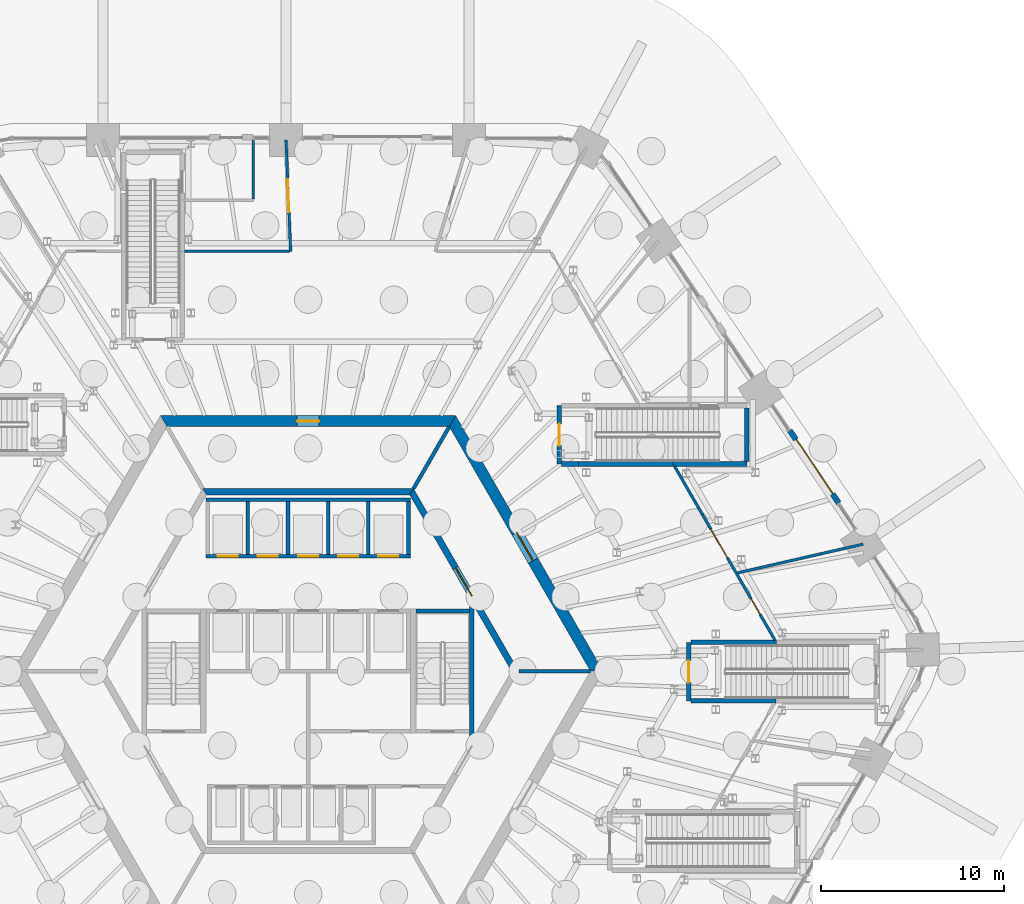
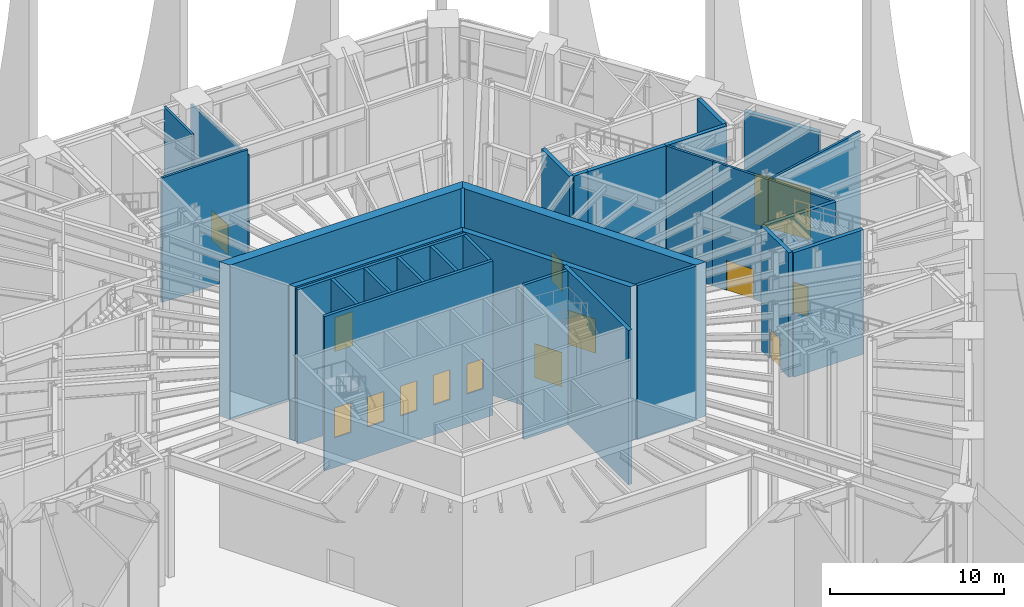
# One storey, part 29 of 43: 31 walls, 14 doors, 14 openings.
"""IFC4 building model written with IfcOpenShell, lengths in metres."""

from ifc_helpers import new_model, si_unit, direction, frame, frame_2d, origin, place, context, subcontext, project, spatial, polyline, rectangle, outline, extrude, material, layer, layer_set, type_object, element, fill, save


model = new_model("IFC4")

# Units and contexts
model_context = context("Model", 3, precision=1e-05, world=origin(), true_north=direction((0.0, 1.0)))
body_context = subcontext(model_context, "Body", "Model", "MODEL_VIEW")
ifc_project = project(units=[si_unit("LENGTHUNIT", "METRE"), si_unit("AREAUNIT", "SQUARE_METRE"), si_unit("VOLUMEUNIT", "CUBIC_METRE"), si_unit("PLANEANGLEUNIT", "RADIAN"), si_unit("MASSUNIT", "GRAM", prefix="KILO")], contexts=[model_context])

# Site, building, storey
site_placement = place(None, origin())
site = spatial("IfcSite", under=ifc_project, at=site_placement, CompositionType="ELEMENT")
building_placement = place(site_placement, origin())
building = spatial("IfcBuilding", under=site, at=building_placement, Name="Tarnside Tower", CompositionType="ELEMENT")
storey_placement = place(building_placement, origin())
storey = spatial("IfcBuildingStorey", under=building, at=storey_placement, Name="L00", CompositionType="ELEMENT", Elevation=0.0)

# Wall, opening, door
ifc_material_1 = material(Name="Concrete C50/60", Category="concrete")
ifc_layer_1 = layer(ifc_material_1, 0.35009765625)
ifc_layer_set_1 = layer_set([ifc_layer_1], Name="Core block wall 350 C50/60")
wall_type_1 = type_object("IfcWallType", Name="Core block wall 350 C50/60", PredefinedType="SHEAR", material=ifc_layer_set_1)
wall_1_placement = place(storey_placement, frame((11.344970703125, 0.0, -2.10009765625), z_axis=(0.0, 0.0, 1.0), x_axis=(-0.499995046907, 0.866028263435, 0.0)))
wall_1 = element("IfcWall", 1, at=wall_1_placement, inside=storey, type_object=wall_type_1, Name="L00 core block wall face 6", PredefinedType="SHEAR", context=body_context, shape_type="SweptSolid", body=[
    extrude(outline(polyline([(-0.10107421875, -0.175048828125), (11.44580078125, -0.175048828125), (11.24365234375, 0.175048828125), (0.10107421875, 0.175048828125), (-0.10107421875, -0.175048828125)])), origin(), (0.0, 0.0, 1.0), 10.85009765625),
])
opening_1_placement = place(wall_1_placement, frame((4.74365234375, 0.0, 2.10009765625)))
opening_1 = element("IfcOpeningElement", 2, at=opening_1_placement, cuts=wall_1, Name="Opening CD-LOB", PredefinedType="OPENING", context=body_context, shape_type="SweptSolid", body=[
    extrude(rectangle(XDim=1.800048828125, YDim=2.39990234375, at=frame_2d((0.89990234375, 1.199951171875))), frame((0.0, 0.18505859375, 0.0), z_axis=(0.0, -1.0, 0.0), x_axis=(1.0, 0.0, 0.0)), (0.0, 0.0, 1.0), 0.3701171875),
])
ifc_material_2 = material(Name="Steel fire door", Category="steel")
door_type_1 = type_object("IfcDoorType", Name="Lobby double door FD30S 1800x2400", OperationType="NOTDEFINED", PredefinedType="DOOR", material=ifc_material_2)
door_1_placement = place(opening_1_placement, origin())
door_1 = element("IfcDoor", 3, at=door_1_placement, inside=storey, type_object=door_type_1, Name="L00 lobby block door P2", OperationType="DOUBLE_DOOR_SINGLE_SWING", OverallHeight=2.39990234375, OverallWidth=1.800048828125, PredefinedType="DOOR", context=body_context, shape_type="SweptSolid", body=[
    extrude(rectangle(XDim=1.800048828125, YDim=2.39990234375, at=frame_2d((0.89990234375, 1.199951171875))), frame((0.0, 0.02490234375, 0.0), z_axis=(0.0, -1.0, 0.0), x_axis=(1.0, 0.0, 0.0)), (0.0, 0.0, 1.0), 0.050048828125),
])
fill(opening_1, door_1)

# Wall
wall_2_placement = place(storey_placement, frame((5.672607421875, 9.824951171875, -2.10009765625), z_axis=(0.0, 0.0, 1.0), x_axis=(-1.0, 0.0, 0.0)))
element("IfcWall", 4, at=wall_2_placement, inside=storey, type_object=wall_type_1, Name="L00 core block wall face 1", PredefinedType="SHEAR", context=body_context, shape_type="SweptSolid", body=[
    extrude(outline(polyline([(-0.10107421875, -0.175048828125), (11.4462890625, -0.175048828125), (11.244140625, 0.175048828125), (0.10107421875, 0.175048828125), (-0.10107421875, -0.175048828125)])), origin(), (0.0, 0.0, 1.0), 10.85009765625),
])

# Wall, opening, door
ifc_material_3 = material(Name="Concrete C80/95", Category="concrete")
ifc_layer_2 = layer(ifc_material_3, 0.60009765625)
ifc_layer_set_2 = layer_set([ifc_layer_2], Name="Core wall Z1 600 C80/95")
wall_type_2 = type_object("IfcWallType", Name="Core wall Z1 600 C80/95", PredefinedType="SHEAR", material=ifc_layer_set_2)
wall_3_placement = place(storey_placement, frame((15.8193359375, 0.0, -2.10009765625), z_axis=(0.0, 0.0, 1.0), x_axis=(-0.499999880136, 0.866025472988, 0.0)))
wall_3 = element("IfcWall", 5, at=wall_3_placement, inside=storey, type_object=wall_type_2, Name="L00 core wall face 6", PredefinedType="SHEAR", context=body_context, shape_type="SweptSolid", body=[
    extrude(outline(polyline([(-0.17333984375, -0.300048828125), (15.99267578125, -0.300048828125), (15.64599609375, 0.300048828125), (0.17333984375, 0.300048828125), (-0.17333984375, -0.300048828125)])), origin(), (0.0, 0.0, 1.0), 10.85009765625),
])
opening_2_placement = place(wall_3_placement, frame((6.980712890625, 0.0, 2.10009765625)))
opening_2 = element("IfcOpeningElement", 6, at=opening_2_placement, cuts=wall_3, Name="Opening CD-LOB", PredefinedType="OPENING", context=body_context, shape_type="SweptSolid", body=[
    extrude(rectangle(XDim=1.800048828125, YDim=2.39990234375, at=frame_2d((0.89990234375, 1.199951171875))), frame((0.0, 0.31005859375, 0.0), z_axis=(0.0, -1.0, 0.0), x_axis=(1.0, 0.0, 0.0)), (0.0, 0.0, 1.0), 0.6201171875),
])
door_2_placement = place(opening_2_placement, origin())
door_2 = element("IfcDoor", 7, at=door_2_placement, inside=storey, type_object=door_type_1, Name="L00 core door P2", OperationType="DOUBLE_DOOR_SINGLE_SWING", OverallHeight=2.39990234375, OverallWidth=1.800048828125, PredefinedType="DOOR", context=body_context, shape_type="SweptSolid", body=[
    extrude(rectangle(XDim=1.800048828125, YDim=2.39990234375, at=frame_2d((0.89990234375, 1.199951171875))), frame((0.0, 0.02490234375, 0.0), z_axis=(0.0, -1.0, 0.0), x_axis=(1.0, 0.0, 0.0)), (0.0, 0.0, 1.0), 0.050048828125),
])
fill(opening_2, door_2)

wall_4_placement = place(storey_placement, frame((7.90966796875, 13.699951171875, -2.10009765625), z_axis=(0.0, 0.0, 1.0), x_axis=(-1.0, 0.0, 0.0)))
wall_4 = element("IfcWall", 8, at=wall_4_placement, inside=storey, type_object=wall_type_2, Name="L00 core wall face 1", PredefinedType="SHEAR", context=body_context, shape_type="SweptSolid", body=[
    extrude(outline(polyline([(-0.17333984375, -0.300048828125), (15.99267578125, -0.300048828125), (15.64599609375, 0.300048828125), (0.17333984375, 0.300048828125), (-0.17333984375, -0.300048828125)])), origin(), (0.0, 0.0, 1.0), 10.85009765625),
])
opening_3_placement = place(wall_4_placement, frame((7.309814453125, 0.0, 2.10009765625)))
opening_3 = element("IfcOpeningElement", 9, at=opening_3_placement, cuts=wall_4, Name="Opening CD-RSR", PredefinedType="OPENING", context=body_context, shape_type="SweptSolid", body=[
    extrude(rectangle(XDim=1.199951171875, YDim=2.39990234375, at=frame_2d((0.60009765625, 1.199951171875))), frame((0.0, 0.31005859375, 0.0), z_axis=(0.0, -1.0, 0.0), x_axis=(1.0, 0.0, 0.0)), (0.0, 0.0, 1.0), 0.6201171875),
])
door_type_2 = type_object("IfcDoorType", Name="Riser door FD60 1200x2400", OperationType="NOTDEFINED", PredefinedType="DOOR", material=ifc_material_2)
door_3_placement = place(opening_3_placement, origin())
door_3 = element("IfcDoor", 10, at=door_3_placement, inside=storey, type_object=door_type_2, Name="L00 core door S5", OperationType="SINGLE_SWING_LEFT", OverallHeight=2.39990234375, OverallWidth=1.199951171875, PredefinedType="DOOR", context=body_context, shape_type="SweptSolid", body=[
    extrude(rectangle(XDim=1.199951171875, YDim=2.39990234375, at=frame_2d((0.60009765625, 1.199951171875))), frame((0.0, 0.02490234375, 0.0), z_axis=(0.0, -1.0, 0.0), x_axis=(1.0, 0.0, 0.0)), (0.0, 0.0, 1.0), 0.050048828125),
])
fill(opening_3, door_3)

ifc_material_4 = material(Name="Concrete C50/60 white precast", Category="concrete")
ifc_layer_3 = layer(ifc_material_4, 0.300048828125)
ifc_layer_set_3 = layer_set([ifc_layer_3], Name="Entrance portal wall 300")
wall_type_3 = type_object("IfcWallType", Name="Entrance portal wall 300", PredefinedType="SOLIDWALL", material=ifc_layer_set_3)
wall_5_placement = place(storey_placement, frame((29.0712890625, 9.207763671875, 0.0), z_axis=(0.0, 0.0, 1.0), x_axis=(-0.559199394786, 0.829033194071, 0.0)))
wall_5 = element("IfcWall", 11, at=wall_5_placement, inside=storey, type_object=wall_type_3, Name="Entrance portal wall residences 20", PredefinedType="SOLIDWALL", context=body_context, shape_type="SweptSolid", body=[
    extrude(rectangle(XDim=4.7998046875, YDim=0.300048828125, at=frame_2d((2.39990234375, 0.0))), origin(), (0.0, 0.0, 1.0), 7.823486328125),
])
opening_4_placement = place(wall_5_placement, frame((0.60009765625, 0.0, 0.0)))
opening_4 = element("IfcOpeningElement", 12, at=opening_4_placement, cuts=wall_5, Name="Opening DE3600R", PredefinedType="OPENING", context=body_context, shape_type="SweptSolid", body=[
    extrude(rectangle(XDim=3.60009765625, YDim=3.60009765625, at=frame_2d((1.800048828125, 1.800048828125))), frame((0.0, 0.16015625, 0.0), z_axis=(0.0, -1.0, 0.0), x_axis=(1.0, 0.0, 0.0)), (0.0, 0.0, 1.0), 0.320068359375),
])
ifc_material_5 = material(Name="Aluminium-framed toughened glass", Category="aluminium")
door_type_3 = type_object("IfcDoorType", Name="Residences entrance door 3600 x 3600", OperationType="DOUBLE_DOOR_SLIDING", PredefinedType="DOOR", material=ifc_material_5)
door_4_placement = place(opening_4_placement, frame((0.0, -0.02490234375, 0.0)))
door_4 = element("IfcDoor", 13, at=door_4_placement, inside=storey, type_object=door_type_3, Name="Residences entrance door 08", OperationType="DOUBLE_DOOR_SLIDING", OverallHeight=3.60009765625, OverallWidth=3.60009765625, PredefinedType="DOOR", context=body_context, shape_type="SweptSolid", body=[
    extrude(rectangle(XDim=3.60009765625, YDim=3.60009765625, at=frame_2d((1.800048828125, 1.800048828125))), frame((0.0, 0.02490234375, 0.0), z_axis=(0.0, -1.0, 0.0), x_axis=(1.0, 0.0, 0.0)), (0.0, 0.0, 1.0), 0.050048828125),
])
fill(opening_4, door_4)

# Wall, openings, doors
ifc_material_6 = material(Name="Concrete C40/50", Category="concrete")
ifc_layer_4 = layer(ifc_material_6, 0.199951171875)
ifc_layer_set_4 = layer_set([ifc_layer_4], Name="Lift shaft wall 200 C40/50")
wall_type_4 = type_object("IfcWallType", Name="Lift shaft wall 200 C40/50", PredefinedType="SHEAR", material=ifc_layer_set_4)
wall_6_placement = place(storey_placement, frame((-5.60009765625, 6.300048828125, -2.10009765625), z_axis=(0.0, 0.0, 1.0), x_axis=(1.0, 0.0, 0.0)))
wall_6 = element("IfcWall", 14, at=wall_6_placement, inside=storey, type_object=wall_type_4, Name="L00 lift shaft front wall R1", PredefinedType="SHEAR", context=body_context, shape_type="SweptSolid", body=[
    extrude(rectangle(XDim=11.2001953125, YDim=0.199951171875, at=frame_2d((5.60009765625, 0.0))), origin(), (0.0, 0.0, 1.0), 10.85009765625),
])
opening_5_placement = place(wall_6_placement, frame((0.64990234375, 0.0, 2.10009765625)))
opening_5 = element("IfcOpeningElement", 15, at=opening_5_placement, cuts=wall_6, Name="Opening LD", PredefinedType="OPENING", context=body_context, shape_type="SweptSolid", body=[
    extrude(rectangle(XDim=1.10009765625, YDim=2.10009765625, at=frame_2d((0.550048828125, 1.050048828125))), frame((0.0, 0.10986328125, 0.0), z_axis=(0.0, -1.0, 0.0), x_axis=(1.0, 0.0, 0.0)), (0.0, 0.0, 1.0), 0.219970703125),
])
opening_6_placement = place(wall_6_placement, frame((2.85009765625, 0.0, 2.10009765625)))
opening_6 = element("IfcOpeningElement", 16, at=opening_6_placement, cuts=wall_6, Name="Opening LD", PredefinedType="OPENING", context=body_context, shape_type="SweptSolid", body=[
    extrude(rectangle(XDim=1.10009765625, YDim=2.10009765625, at=frame_2d((0.550048828125, 1.050048828125))), frame((0.0, 0.10986328125, 0.0), z_axis=(0.0, -1.0, 0.0), x_axis=(1.0, 0.0, 0.0)), (0.0, 0.0, 1.0), 0.219970703125),
])
opening_7_placement = place(wall_6_placement, frame((5.050048828125, 0.0, 2.10009765625)))
opening_7 = element("IfcOpeningElement", 17, at=opening_7_placement, cuts=wall_6, Name="Opening LD", PredefinedType="OPENING", context=body_context, shape_type="SweptSolid", body=[
    extrude(rectangle(XDim=1.10009765625, YDim=2.10009765625, at=frame_2d((0.550048828125, 1.050048828125))), frame((0.0, 0.10986328125, 0.0), z_axis=(0.0, -1.0, 0.0), x_axis=(1.0, 0.0, 0.0)), (0.0, 0.0, 1.0), 0.219970703125),
])
opening_8_placement = place(wall_6_placement, frame((7.25, 0.0, 2.10009765625)))
opening_8 = element("IfcOpeningElement", 18, at=opening_8_placement, cuts=wall_6, Name="Opening LD", PredefinedType="OPENING", context=body_context, shape_type="SweptSolid", body=[
    extrude(rectangle(XDim=1.10009765625, YDim=2.10009765625, at=frame_2d((0.550048828125, 1.050048828125))), frame((0.0, 0.10986328125, 0.0), z_axis=(0.0, -1.0, 0.0), x_axis=(1.0, 0.0, 0.0)), (0.0, 0.0, 1.0), 0.219970703125),
])
opening_9_placement = place(wall_6_placement, frame((9.449951171875, 0.0, 2.10009765625)))
opening_9 = element("IfcOpeningElement", 19, at=opening_9_placement, cuts=wall_6, Name="Opening LD", PredefinedType="OPENING", context=body_context, shape_type="SweptSolid", body=[
    extrude(rectangle(XDim=1.10009765625, YDim=2.10009765625, at=frame_2d((0.550048828125, 1.050048828125))), frame((0.0, 0.10986328125, 0.0), z_axis=(0.0, -1.0, 0.0), x_axis=(1.0, 0.0, 0.0)), (0.0, 0.0, 1.0), 0.219970703125),
])
ifc_material_7 = material(Name="Stainless steel", Category="steel")
door_type_4 = type_object("IfcDoorType", Name="Lift landing door 1100x2100", OperationType="NOTDEFINED", PredefinedType="DOOR", material=ifc_material_7)
door_5_placement = place(opening_5_placement, origin())
door_5 = element("IfcDoor", 20, at=door_5_placement, inside=storey, type_object=door_type_4, Name="Low-rise lift 1 landing door L00", OperationType="SLIDING_TO_LEFT", OverallHeight=2.10009765625, OverallWidth=1.10009765625, PredefinedType="DOOR", context=body_context, shape_type="SweptSolid", body=[
    extrude(rectangle(XDim=1.10009765625, YDim=2.10009765625, at=frame_2d((0.550048828125, 1.050048828125))), frame((0.0, 0.02490234375, 0.0), z_axis=(0.0, -1.0, 0.0), x_axis=(1.0, 0.0, 0.0)), (0.0, 0.0, 1.0), 0.050048828125),
])
fill(opening_5, door_5)
door_6_placement = place(opening_6_placement, origin())
door_6 = element("IfcDoor", 21, at=door_6_placement, inside=storey, type_object=door_type_4, Name="Low-rise lift 2 landing door L00", OperationType="SLIDING_TO_LEFT", OverallHeight=2.10009765625, OverallWidth=1.10009765625, PredefinedType="DOOR", context=body_context, shape_type="SweptSolid", body=[
    extrude(rectangle(XDim=1.10009765625, YDim=2.10009765625, at=frame_2d((0.550048828125, 1.050048828125))), frame((0.0, 0.02490234375, 0.0), z_axis=(0.0, -1.0, 0.0), x_axis=(1.0, 0.0, 0.0)), (0.0, 0.0, 1.0), 0.050048828125),
])
fill(opening_6, door_6)
door_7_placement = place(opening_7_placement, origin())
door_7 = element("IfcDoor", 22, at=door_7_placement, inside=storey, type_object=door_type_4, Name="Low-rise lift 3 landing door L00", OperationType="SLIDING_TO_LEFT", OverallHeight=2.10009765625, OverallWidth=1.10009765625, PredefinedType="DOOR", context=body_context, shape_type="SweptSolid", body=[
    extrude(rectangle(XDim=1.10009765625, YDim=2.10009765625, at=frame_2d((0.550048828125, 1.050048828125))), frame((0.0, 0.02490234375, 0.0), z_axis=(0.0, -1.0, 0.0), x_axis=(1.0, 0.0, 0.0)), (0.0, 0.0, 1.0), 0.050048828125),
])
fill(opening_7, door_7)
door_8_placement = place(opening_8_placement, origin())
door_8 = element("IfcDoor", 23, at=door_8_placement, inside=storey, type_object=door_type_4, Name="Low sky-lobby shuttle 1 landing door L00", OperationType="SLIDING_TO_LEFT", OverallHeight=2.10009765625, OverallWidth=1.10009765625, PredefinedType="DOOR", context=body_context, shape_type="SweptSolid", body=[
    extrude(rectangle(XDim=1.10009765625, YDim=2.10009765625, at=frame_2d((0.550048828125, 1.050048828125))), frame((0.0, 0.02490234375, 0.0), z_axis=(0.0, -1.0, 0.0), x_axis=(1.0, 0.0, 0.0)), (0.0, 0.0, 1.0), 0.050048828125),
])
fill(opening_8, door_8)
door_9_placement = place(opening_9_placement, origin())
door_9 = element("IfcDoor", 24, at=door_9_placement, inside=storey, type_object=door_type_4, Name="Low sky-lobby shuttle 2 landing door L00", OperationType="SLIDING_TO_LEFT", OverallHeight=2.10009765625, OverallWidth=1.10009765625, PredefinedType="DOOR", context=body_context, shape_type="SweptSolid", body=[
    extrude(rectangle(XDim=1.10009765625, YDim=2.10009765625, at=frame_2d((0.550048828125, 1.050048828125))), frame((0.0, 0.02490234375, 0.0), z_axis=(0.0, -1.0, 0.0), x_axis=(1.0, 0.0, 0.0)), (0.0, 0.0, 1.0), 0.050048828125),
])
fill(opening_9, door_9)

# Walls
wall_7_placement = place(storey_placement, frame((-5.60009765625, 9.39990234375, -2.10009765625), z_axis=(0.0, 0.0, 1.0), x_axis=(1.0, 0.0, 0.0)))
element("IfcWall", 25, at=wall_7_placement, inside=storey, type_object=wall_type_4, Name="L00 lift shaft back wall R1", PredefinedType="SHEAR", context=body_context, shape_type="SweptSolid", body=[
    extrude(rectangle(XDim=11.2001953125, YDim=0.199951171875, at=frame_2d((5.60009765625, 0.0))), origin(), (0.0, 0.0, 1.0), 10.85009765625),
])
for number, where, z_axis, x_axis, name in (
    (26, (-3.300048828125, 6.39990234375, -2.10009765625), (0.0, 0.0, 1.0), (0.0, 1.0, 0.0), "L00 lift shaft partition R12"),
    (27, (-1.10009765625, 6.39990234375, -2.10009765625), (0.0, 0.0, 1.0), (0.0, 1.0, 0.0), "L00 lift shaft partition R13"),
    (28, (1.10009765625, 6.39990234375, -2.10009765625), (0.0, 0.0, 1.0), (0.0, 1.0, 0.0), "L00 lift shaft partition R14"),
    (29, (3.300048828125, 6.39990234375, -2.10009765625), (0.0, 0.0, 1.0), (0.0, 1.0, 0.0), "L00 lift shaft partition R15"),
    (30, (5.5, 6.39990234375, -2.10009765625), (0.0, 0.0, 1.0), (0.0, 1.0, 0.0), "L00 lift shaft partition R16"),
):
    element("IfcWall", number, at=place(storey_placement, frame(where, z_axis=z_axis, x_axis=x_axis)), inside=storey, type_object=wall_type_4, Name=name, PredefinedType="SHEAR", context=body_context, shape_type="SweptSolid", body=[
        extrude(rectangle(XDim=2.900146484375, YDim=0.199951171875, at=frame_2d((1.4501953125, 0.0))), origin(), (0.0, 0.0, 1.0), 10.85009765625),
    ])
wall_8_placement = place(storey_placement, frame((11.547119140625, 0.0, -2.10009765625), z_axis=(0.0, 0.0, 1.0), x_axis=(1.0, 0.0, 0.0)))
element("IfcWall", 31, at=wall_8_placement, inside=storey, type_object=wall_type_4, Name="L00 core partition AR0", PredefinedType="SHEAR", context=body_context, shape_type="SweptSolid", body=[
    extrude(rectangle(XDim=3.92578125, YDim=0.199951171875, at=frame_2d((1.962890625, 0.0))), origin(), (0.0, 0.0, 1.0), 10.85009765625),
])
wall_9_placement = place(storey_placement, frame((5.7734375, 10.0, -2.10009765625), z_axis=(0.0, 0.0, 1.0), x_axis=(0.500038251005, 0.86600331843, 0.0)))
element("IfcWall", 32, at=wall_9_placement, inside=storey, type_object=wall_type_4, Name="L00 core partition AR60", PredefinedType="SHEAR", context=body_context, shape_type="SweptSolid", body=[
    extrude(rectangle(XDim=3.926025390625, YDim=0.199951171875, at=frame_2d((1.962890625, 0.0))), origin(), (0.0, 0.0, 1.0), 10.85009765625),
])
wall_10_placement = place(storey_placement, frame((5.89990234375, 3.300048828125, -2.10009765625), z_axis=(0.0, 0.0, 1.0), x_axis=(1.0, 0.0, 0.0)))
element("IfcWall", 33, at=wall_10_placement, inside=storey, type_object=wall_type_4, Name="L00 stair 1 enclosure cap wall n", PredefinedType="SHEAR", context=body_context, shape_type="SweptSolid", body=[
    extrude(rectangle(XDim=2.9501953125, YDim=0.199951171875, at=frame_2d((1.47509765625, 0.0))), origin(), (0.0, 0.0, 1.0), 10.85009765625),
])
ifc_material_8 = material(Name="Gypsum board")
ifc_layer_5 = layer(ifc_material_8, 0.14990234375)
ifc_layer_set_5 = layer_set([ifc_layer_5], Name="Partition 150 gypsum board on metal stud")
wall_type_5 = type_object("IfcWallType", Name="Partition 150 gypsum board on metal stud", PredefinedType="PARTITIONING", material=ifc_layer_set_5)
wall_11_placement = place(storey_placement, frame((-3.0, 29.10009765625, 0.0), z_axis=(0.0, 0.0, 1.0), x_axis=(0.0, -1.0, 0.0)))
element("IfcWall", 34, at=wall_11_placement, inside=storey, type_object=wall_type_5, Name="Partition 066", PredefinedType="PARTITIONING", context=body_context, shape_type="SweptSolid", body=[
    extrude(rectangle(XDim=3.22509765625, YDim=0.14990234375, at=frame_2d((1.612548828125, 0.0))), origin(), (0.0, 0.0, 1.0), 8.75),
])

# Wall, opening, door
wall_12_placement = place(storey_placement, frame((-0.95703125, 23.0, 0.0), z_axis=(0.0, 0.0, 1.0), x_axis=(-0.041587299648, 0.999134874033, 0.0)))
wall_12 = element("IfcWall", 35, at=wall_12_placement, inside=storey, type_object=wall_type_5, Name="Partition 067", PredefinedType="PARTITIONING", context=body_context, shape_type="SweptSolid", body=[
    extrude(rectangle(XDim=6.10546875, YDim=0.14990234375, at=frame_2d((3.052734375, 0.0))), origin(), (0.0, 0.0, 1.0), 8.296630859375),
])
opening_10_placement = place(wall_12_placement, frame((2.152587890625, 0.0, 0.0)))
opening_10 = element("IfcOpeningElement", 36, at=opening_10_placement, cuts=wall_12, Name="Opening D1800F30", PredefinedType="OPENING", context=body_context, shape_type="SweptSolid", body=[
    extrude(rectangle(XDim=1.800048828125, YDim=2.10009765625, at=frame_2d((0.89990234375, 1.050048828125))), frame((0.0, 0.0849609375, 0.0), z_axis=(0.0, -1.0, 0.0), x_axis=(1.0, 0.0, 0.0)), (0.0, 0.0, 1.0), 0.169921875),
])
ifc_material_9 = material(Name="Timber door leaf", Category="wood")
door_type_5 = type_object("IfcDoorType", Name="Door pair 1800 x 2100 FD30S fire door", OperationType="NOTDEFINED", PredefinedType="DOOR", material=ifc_material_9)
door_10_placement = place(opening_10_placement, origin())
door_10 = element("IfcDoor", 37, at=door_10_placement, inside=storey, type_object=door_type_5, Name="Door L00-20", OperationType="DOUBLE_DOOR_SINGLE_SWING", OverallHeight=2.10009765625, OverallWidth=1.800048828125, PredefinedType="DOOR", context=body_context, shape_type="SweptSolid", body=[
    extrude(rectangle(XDim=1.800048828125, YDim=2.10009765625, at=frame_2d((0.89990234375, 1.050048828125))), frame((0.0, 0.02490234375, 0.0), z_axis=(0.0, -1.0, 0.0), x_axis=(1.0, 0.0, 0.0)), (0.0, 0.0, 1.0), 0.050048828125),
])
fill(opening_10, door_10)

# Walls
wall_13_placement = place(storey_placement, frame((-1.031982421875, 23.0, 0.0), z_axis=(0.0, 0.0, 1.0), x_axis=(-1.0, 0.0, 0.0)))
element("IfcWall", 38, at=wall_13_placement, inside=storey, type_object=wall_type_5, Name="Partition 068", PredefinedType="PARTITIONING", context=body_context, shape_type="SweptSolid", body=[
    extrude(rectangle(XDim=5.73291015625, YDim=0.14990234375, at=frame_2d((2.866455078125, 0.0))), origin(), (0.0, 0.0, 1.0), 8.75),
])
wall_14_placement = place(storey_placement, frame((21.60302734375, 8.58203125, 0.0), z_axis=(0.0, 0.0, 1.0), x_axis=(-0.499976360077, 0.86603905187, 0.0)))
element("IfcWall", 39, at=wall_14_placement, inside=storey, type_object=wall_type_5, Name="Partition 098", PredefinedType="PARTITIONING", context=body_context, shape_type="SweptSolid", body=[
    extrude(rectangle(XDim=3.052001953125, YDim=0.14990234375, at=frame_2d((1.52587890625, 0.0))), origin(), (0.0, 0.0, 1.0), 8.75),
])

# Wall, opening, door
wall_15_placement = place(storey_placement, frame((23.448974609375, 5.385986328125, 0.0), z_axis=(0.0, 0.0, 1.0), x_axis=(-0.500058396869, 0.865991685711, 0.0)))
wall_15 = element("IfcWall", 40, at=wall_15_placement, inside=storey, type_object=wall_type_5, Name="Partition 105", PredefinedType="PARTITIONING", context=body_context, shape_type="SweptSolid", body=[
    extrude(rectangle(XDim=3.71142578125, YDim=0.14990234375, at=frame_2d((1.855712890625, 0.0))), origin(), (0.0, 0.0, 1.0), 8.75),
])
opening_11_placement = place(wall_15_placement, frame((0.955810546875, 0.0, 0.0)))
opening_11 = element("IfcOpeningElement", 41, at=opening_11_placement, cuts=wall_15, Name="Opening D1800F30", PredefinedType="OPENING", context=body_context, shape_type="SweptSolid", body=[
    extrude(rectangle(XDim=1.800048828125, YDim=2.10009765625, at=frame_2d((0.89990234375, 1.050048828125))), frame((0.0, 0.0849609375, 0.0), z_axis=(0.0, -1.0, 0.0), x_axis=(1.0, 0.0, 0.0)), (0.0, 0.0, 1.0), 0.169921875),
])
door_11_placement = place(opening_11_placement, origin())
door_11 = element("IfcDoor", 42, at=door_11_placement, inside=storey, type_object=door_type_5, Name="Door L00-31", OperationType="DOUBLE_DOOR_SINGLE_SWING", OverallHeight=2.10009765625, OverallWidth=1.800048828125, PredefinedType="DOOR", context=body_context, shape_type="SweptSolid", body=[
    extrude(rectangle(XDim=1.800048828125, YDim=2.10009765625, at=frame_2d((0.89990234375, 1.050048828125))), frame((0.0, 0.02490234375, 0.0), z_axis=(0.0, -1.0, 0.0), x_axis=(1.0, 0.0, 0.0)), (0.0, 0.0, 1.0), 0.050048828125),
])
fill(opening_11, door_11)

wall_16_placement = place(storey_placement, frame((23.458984375, 5.367919921875, 0.0), z_axis=(0.0, 0.0, 1.0), x_axis=(0.500038455881, -0.866003200133, 0.0)))
wall_16 = element("IfcWall", 43, at=wall_16_placement, inside=storey, type_object=wall_type_5, Name="Partition 112", PredefinedType="PARTITIONING", context=body_context, shape_type="SweptSolid", body=[
    extrude(rectangle(XDim=4.235595703125, YDim=0.14990234375, at=frame_2d((2.11767578125, 0.0))), origin(), (0.0, 0.0, 1.0), 8.75),
])
opening_12_placement = place(wall_16_placement, frame((1.61767578125, 0.0, 0.0)))
opening_12 = element("IfcOpeningElement", 44, at=opening_12_placement, cuts=wall_16, Name="Opening D1000F30", PredefinedType="OPENING", context=body_context, shape_type="SweptSolid", body=[
    extrude(rectangle(XDim=1.0, YDim=2.10009765625, at=frame_2d((0.5, 1.050048828125))), frame((0.0, 0.0849609375, 0.0), z_axis=(0.0, -1.0, 0.0), x_axis=(1.0, 0.0, 0.0)), (0.0, 0.0, 1.0), 0.169921875),
])
door_type_6 = type_object("IfcDoorType", Name="Door 1000 x 2100 single leaf FD30S fire door", OperationType="NOTDEFINED", PredefinedType="DOOR", material=ifc_material_9)
door_12_placement = place(opening_12_placement, origin())
door_12 = element("IfcDoor", 45, at=door_12_placement, inside=storey, type_object=door_type_6, Name="Door L00-33", OperationType="SINGLE_SWING_RIGHT", OverallHeight=2.10009765625, OverallWidth=1.0, PredefinedType="DOOR", context=body_context, shape_type="SweptSolid", body=[
    extrude(rectangle(XDim=1.0, YDim=2.10009765625, at=frame_2d((0.5, 1.050048828125))), frame((0.0, 0.02490234375, 0.0), z_axis=(0.0, -1.0, 0.0), x_axis=(1.0, 0.0, 0.0)), (0.0, 0.0, 1.0), 0.050048828125),
])
fill(opening_12, door_12)

# Walls
wall_17_placement = place(storey_placement, frame((30.406982421875, 6.9580078125, 0.0), z_axis=(0.0, 0.0, 1.0), x_axis=(-0.974801082726, -0.223075881967, 0.0)))
element("IfcWall", 46, at=wall_17_placement, inside=storey, type_object=wall_type_5, Name="Partition 119", PredefinedType="PARTITIONING", context=body_context, shape_type="SweptSolid", body=[
    extrude(rectangle(XDim=7.04931640625, YDim=0.14990234375, at=frame_2d((3.524658203125, 0.0))), origin(), (0.0, 0.0, 1.0), 8.75),
])
ifc_layer_6 = layer(ifc_material_6, 0.25)
ifc_layer_set_6 = layer_set([ifc_layer_6], Name="Stair enclosure wall 250 C40/50")
wall_type_6 = type_object("IfcWallType", Name="Stair enclosure wall 250 C40/50", PredefinedType="SHEAR", material=ifc_layer_set_6)
wall_18_placement = place(storey_placement, frame((8.97509765625, -3.7548828125, -2.10009765625), z_axis=(0.0, 0.0, 1.0), x_axis=(0.0, 1.0, 0.0)))
element("IfcWall", 47, at=wall_18_placement, inside=storey, type_object=wall_type_6, Name="L00 stair 1 enclosure wall outer", PredefinedType="SHEAR", context=body_context, shape_type="SweptSolid", body=[
    extrude(rectangle(XDim=7.509765625, YDim=0.25, at=frame_2d((3.7548828125, 0.0))), origin(), (0.0, 0.0, 1.0), 10.85009765625),
])

# Wall, opening, door
ifc_material_10 = material(Name="Concrete C32/40", Category="concrete")
ifc_layer_7 = layer(ifc_material_10, 0.25)
ifc_layer_set_7 = layer_set([ifc_layer_7], Name="Wall 250 reinforced Concrete C32/40")
wall_type_7 = type_object("IfcWallType", Name="Wall 250 reinforced Concrete C32/40", PredefinedType="PARTITIONING", material=ifc_layer_set_7)
wall_19_placement = place(storey_placement, frame((13.764892578125, 11.35009765625, 0.0), z_axis=(0.0, 0.0, 1.0), x_axis=(0.0, 1.0, 0.0)))
wall_19 = element("IfcWall", 48, at=wall_19_placement, inside=storey, type_object=wall_type_7, Name="Partition 077", PredefinedType="PARTITIONING", context=body_context, shape_type="SweptSolid", body=[
    extrude(rectangle(XDim=3.199951171875, YDim=0.25, at=frame_2d((1.60009765625, 0.0))), origin(), (0.0, 0.0, 1.0), 8.75),
])
opening_13_placement = place(wall_19_placement, frame((1.0, 0.0, 0.0)))
opening_13 = element("IfcOpeningElement", 49, at=opening_13_placement, cuts=wall_19, Name="Opening D1200F60S", PredefinedType="OPENING", context=body_context, shape_type="SweptSolid", body=[
    extrude(rectangle(XDim=1.199951171875, YDim=2.10009765625, at=frame_2d((0.60009765625, 1.050048828125))), frame((0.0, 0.135009765625, 0.0), z_axis=(0.0, -1.0, 0.0), x_axis=(1.0, 0.0, 0.0)), (0.0, 0.0, 1.0), 0.27001953125),
])
door_type_7 = type_object("IfcDoorType", Name="Door 1200 x 2100 single leaf FD60S fire door", OperationType="NOTDEFINED", PredefinedType="DOOR", material=ifc_material_9)
door_13_placement = place(opening_13_placement, origin())
door_13 = element("IfcDoor", 50, at=door_13_placement, inside=storey, type_object=door_type_7, Name="Door L00-23", OperationType="SINGLE_SWING_RIGHT", OverallHeight=2.10009765625, OverallWidth=1.199951171875, PredefinedType="DOOR", context=body_context, shape_type="SweptSolid", body=[
    extrude(rectangle(XDim=1.199951171875, YDim=2.10009765625, at=frame_2d((0.60009765625, 1.050048828125))), frame((0.0, 0.02490234375, 0.0), z_axis=(0.0, -1.0, 0.0), x_axis=(1.0, 0.0, 0.0)), (0.0, 0.0, 1.0), 0.050048828125),
])
fill(opening_13, door_13)

# Walls
wall_20_placement = place(storey_placement, frame((14.821044921875, 11.35009765625, 0.0), z_axis=(0.0, 0.0, 1.0), x_axis=(-1.0, 0.0, 0.0)))
element("IfcWall", 51, at=wall_20_placement, inside=storey, type_object=wall_type_7, Name="Partition 082", PredefinedType="PARTITIONING", context=body_context, shape_type="SweptSolid", body=[
    extrude(rectangle(XDim=0.93115234375, YDim=0.25, at=frame_2d((0.465576171875, 0.0))), origin(), (0.0, 0.0, 1.0), 8.75),
])
wall_21_placement = place(storey_placement, frame((20.01708984375, 11.35009765625, 0.0), z_axis=(0.0, 0.0, 1.0), x_axis=(-1.0, 0.0, 0.0)))
element("IfcWall", 52, at=wall_21_placement, inside=storey, type_object=wall_type_7, Name="Partition 093", PredefinedType="PARTITIONING", context=body_context, shape_type="SweptSolid", body=[
    extrude(rectangle(XDim=5.218017578125, YDim=0.25, at=frame_2d((2.60888671875, 0.0))), origin(), (0.0, 0.0, 1.0), 8.75),
])

# Wall, opening, door
wall_22_placement = place(storey_placement, frame((20.85498046875, -1.625, 0.0), z_axis=(0.0, 0.0, 1.0), x_axis=(0.0, 1.0, 0.0)))
wall_22 = element("IfcWall", 53, at=wall_22_placement, inside=storey, type_object=wall_type_7, Name="Partition 095", PredefinedType="PARTITIONING", context=body_context, shape_type="SweptSolid", body=[
    extrude(rectangle(XDim=3.199951171875, YDim=0.25, at=frame_2d((1.60009765625, 0.0))), origin(), (0.0, 0.0, 1.0), 8.75),
])
opening_14_placement = place(wall_22_placement, frame((1.0, 0.0, 0.0)))
opening_14 = element("IfcOpeningElement", 54, at=opening_14_placement, cuts=wall_22, Name="Opening D1200F60S", PredefinedType="OPENING", context=body_context, shape_type="SweptSolid", body=[
    extrude(rectangle(XDim=1.199951171875, YDim=2.10009765625, at=frame_2d((0.60009765625, 1.050048828125))), frame((0.0, 0.135009765625, 0.0), z_axis=(0.0, -1.0, 0.0), x_axis=(1.0, 0.0, 0.0)), (0.0, 0.0, 1.0), 0.27001953125),
])
door_14_placement = place(opening_14_placement, origin())
door_14 = element("IfcDoor", 55, at=door_14_placement, inside=storey, type_object=door_type_7, Name="Door L00-28", OperationType="SINGLE_SWING_LEFT", OverallHeight=2.10009765625, OverallWidth=1.199951171875, PredefinedType="DOOR", context=body_context, shape_type="SweptSolid", body=[
    extrude(rectangle(XDim=1.199951171875, YDim=2.10009765625, at=frame_2d((0.60009765625, 1.050048828125))), frame((0.0, 0.02490234375, 0.0), z_axis=(0.0, -1.0, 0.0), x_axis=(1.0, 0.0, 0.0)), (0.0, 0.0, 1.0), 0.050048828125),
])
fill(opening_14, door_14)

# Walls
wall_23_placement = place(storey_placement, frame((20.97998046875, 1.574951171875, 0.0), z_axis=(0.0, 0.0, 1.0), x_axis=(1.0, 0.0, 0.0)))
element("IfcWall", 56, at=wall_23_placement, inside=storey, type_object=wall_type_7, Name="Partition 096", PredefinedType="PARTITIONING", context=body_context, shape_type="SweptSolid", body=[
    extrude(rectangle(XDim=4.678955078125, YDim=0.25, at=frame_2d((2.33935546875, 0.0))), origin(), (0.0, 0.0, 1.0), 8.75),
])
wall_24_placement = place(storey_placement, frame((24.034912109375, 11.35009765625, 0.0), z_axis=(0.0, 0.0, 1.0), x_axis=(-1.0, 0.0, 0.0)))
element("IfcWall", 57, at=wall_24_placement, inside=storey, type_object=wall_type_7, Name="Partition 106", PredefinedType="PARTITIONING", context=body_context, shape_type="SweptSolid", body=[
    extrude(rectangle(XDim=4.039794921875, YDim=0.25, at=frame_2d((2.02001953125, 0.0))), origin(), (0.0, 0.0, 1.0), 8.75),
])
wall_25_placement = place(storey_placement, frame((24.034912109375, 14.425048828125, 0.0), z_axis=(0.0, 0.0, 1.0), x_axis=(0.0, -1.0, 0.0)))
element("IfcWall", 58, at=wall_25_placement, inside=storey, type_object=wall_type_7, Name="Partition 107", PredefinedType="PARTITIONING", context=body_context, shape_type="SweptSolid", body=[
    extrude(rectangle(XDim=2.949951171875, YDim=0.25, at=frame_2d((1.47509765625, 0.0))), origin(), (0.0, 0.0, 1.0), 8.75),
])
wall_26_placement = place(storey_placement, frame((25.6298828125, -1.625, 0.0), z_axis=(0.0, 0.0, 1.0), x_axis=(-1.0, 0.0, 0.0)))
element("IfcWall", 59, at=wall_26_placement, inside=storey, type_object=wall_type_7, Name="Partition 110", PredefinedType="PARTITIONING", context=body_context, shape_type="SweptSolid", body=[
    extrude(rectangle(XDim=4.64990234375, YDim=0.25, at=frame_2d((2.324951171875, 0.0))), origin(), (0.0, 0.0, 1.0), 8.75),
])

save(model, "model.ifc")
